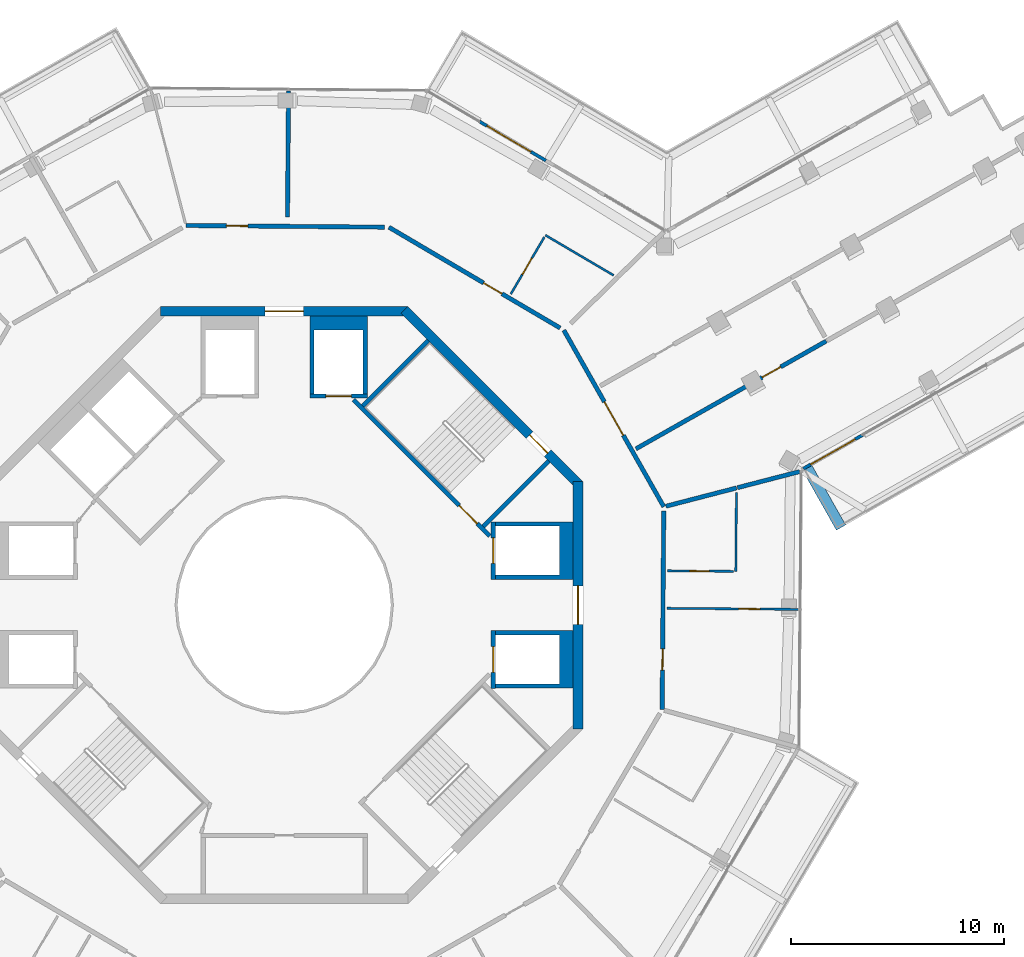
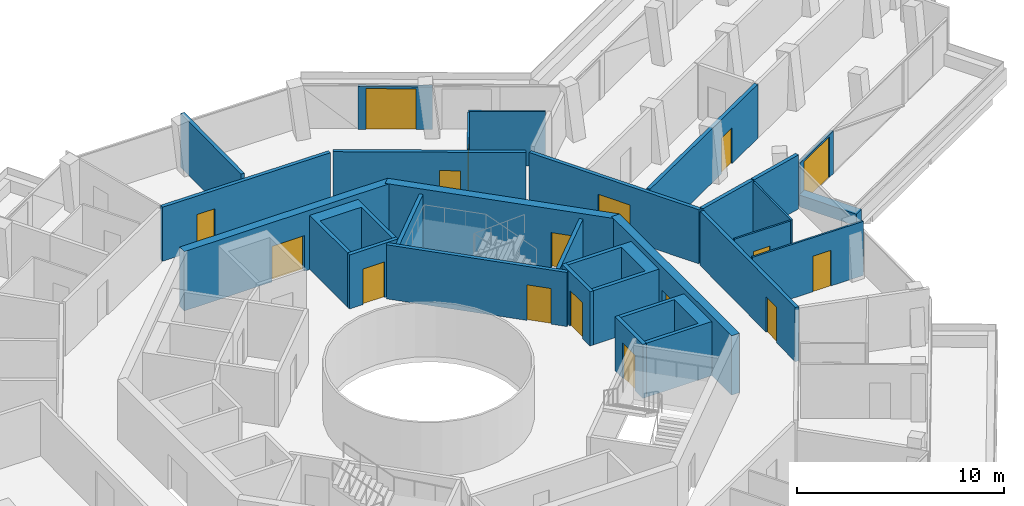
# One storey, part 20 of 24: 28 walls, 17 doors, 17 openings.
"""IFC4 building model written with IfcOpenShell, lengths in metres."""

import ifcopenshell
import ifcopenshell.guid

model = None  # the IFC model being written
_history = None  # IfcOwnerHistory: only IFC2X3 demands one
_inside = {}  # id of a spatial element -> (the spatial element, [elements in it])
_under = {}  # id of a project, library or spatial element -> (it, [spatial elements below it])
_declared = {}  # id of a project -> (the project, [libraries it declares])
_typed = {}  # id of a type object -> (the type object, [elements of that type])
_made_of = {}  # id of a material, layer set ... -> (it, [elements and type objects made of it])


def new_model(schema):
    """Start an empty IFC model of exactly this schema.

    Asked for "IFC4X3", IfcOpenShell would pick the latest addendum, in which some entities
    have other attributes; the version numbers below select the first issue.
    IFC2X3 requires an IfcOwnerHistory on every rooted entity: one is made here for all.
    """
    global model, _history
    if schema == "IFC4X3":
        model = ifcopenshell.file(schema_version=(4, 3, 0, 0))
    else:
        model = ifcopenshell.file(schema=schema)
    _inside.clear()
    _under.clear()
    _declared.clear()
    _typed.clear()
    _made_of.clear()
    _history = None
    if model.schema == "IFC2X3":
        org = make("IfcOrganization", Name="unknown")
        user = make(
            "IfcPersonAndOrganization",
            ThePerson=make("IfcPerson", FamilyName="unknown"),
            TheOrganization=org,
        )
        app = make(
            "IfcApplication",
            ApplicationDeveloper=org,
            Version="unknown",
            ApplicationFullName="unknown",
            ApplicationIdentifier="unknown",
        )
        _history = make(
            "IfcOwnerHistory",
            OwningUser=user,
            OwningApplication=app,
            ChangeAction="ADDED",
            CreationDate=0,
        )
    return model


def make(cls, **values):
    """One entity of the class cls with the attributes given. An attribute that is None is left unset."""
    return model.create_entity(
        cls, **{name: value for name, value in values.items() if value is not None}
    )


def rooted(cls, **values):
    """An entity with a GlobalId (a new one), such as an element, a storey or a relation."""
    return make(cls, GlobalId=ifcopenshell.guid.new(), OwnerHistory=_history, **values)


def si_unit(unit_type, name, prefix=None):
    """IfcSIUnit, for example si_unit("LENGTHUNIT", "METRE", prefix="MILLI")."""
    return make("IfcSIUnit", UnitType=unit_type, Prefix=prefix, Name=name)


def assignment(units):
    """IfcUnitAssignment: the units of a project."""
    return None if units is None else make("IfcUnitAssignment", Units=units)


def point(xyz):
    """IfcCartesianPoint."""
    return None if xyz is None else make("IfcCartesianPoint", Coordinates=xyz)


def direction(xyz):
    """IfcDirection."""
    return None if xyz is None else make("IfcDirection", DirectionRatios=xyz)


def frame(location, z_axis=None, x_axis=None):
    """IfcAxis2Placement3D, a coordinate frame: its origin and axes. An axis left out is left unset."""
    return make(
        "IfcAxis2Placement3D",
        Location=point(location),
        Axis=direction(z_axis),
        RefDirection=direction(x_axis),
    )


def frame_2d(location, x_axis=None):
    """IfcAxis2Placement2D, a coordinate frame in the plane: its origin and x axis."""
    return make(
        "IfcAxis2Placement2D", Location=point(location), RefDirection=direction(x_axis)
    )


def origin():
    """The frame at (0, 0, 0) with its axes left unset."""
    return frame((0.0, 0.0, 0.0))


def place(relative_to, where):
    """IfcLocalPlacement: puts the frame where relative to a parent placement (None: the world)."""
    return make(
        "IfcLocalPlacement", PlacementRelTo=relative_to, RelativePlacement=where
    )


def context(
    kind, dimensions, precision=None, world=None, true_north=None, identifier=None
):
    """IfcGeometricRepresentationContext, for example the 3D "Model" context."""
    return make(
        "IfcGeometricRepresentationContext",
        ContextIdentifier=identifier,
        ContextType=kind,
        CoordinateSpaceDimension=dimensions,
        Precision=precision,
        WorldCoordinateSystem=world,
        TrueNorth=true_north,
    )


def subcontext(parent, identifier, kind, view, scale=None):
    """IfcGeometricRepresentationSubContext, for example "Body" below "Model"."""
    return make(
        "IfcGeometricRepresentationSubContext",
        ContextIdentifier=identifier,
        ContextType=kind,
        ParentContext=parent,
        TargetScale=scale,
        TargetView=view,
    )


def project(units=None, contexts=None):
    """IfcProject with its units and contexts."""
    return rooted(
        "IfcProject",
        Name="project",
        RepresentationContexts=contexts,
        UnitsInContext=assignment(units),
    )


def spatial(cls, under=None, at=None, **own):
    """A site, building, storey or space (cls), placed at a placement, below another one or the project."""
    s = rooted(cls, ObjectPlacement=at, **own)
    if under is not None:
        _under.setdefault(under.id(), (under, []))[1].append(s)
    return s


def polyline(points):
    """IfcPolyline through the points."""
    return make("IfcPolyline", Points=[point(p) for p in points])


def profile(cls, at=None, kind="AREA", **sizes):
    """A parametric profile (cls). Its sizes go by their IFC names, for example OverallWidth=200.0."""
    return make(cls, ProfileType=kind, Position=at, **sizes)


def rectangle(**sizes):
    """IfcRectangleProfileDef."""
    return profile("IfcRectangleProfileDef", **sizes)


def outline(outer, holes=None, kind="AREA"):
    """IfcArbitraryClosedProfileDef: a profile drawn as a closed curve; with holes, ...WithVoids."""
    if holes is None:
        return make("IfcArbitraryClosedProfileDef", ProfileType=kind, OuterCurve=outer)
    return make(
        "IfcArbitraryProfileDefWithVoids",
        ProfileType=kind,
        OuterCurve=outer,
        InnerCurves=holes,
    )


def extrude(swept, where, along, depth):
    """IfcExtrudedAreaSolid: the profile swept, set in the frame where, extruded along a direction by depth."""
    return make(
        "IfcExtrudedAreaSolid",
        SweptArea=swept,
        Position=where,
        ExtrudedDirection=direction(along),
        Depth=depth,
    )


def shape(context_of_items, identifier, shape_type, items):
    """IfcShapeRepresentation: the items that make up one representation, for example the "Body"."""
    return make(
        "IfcShapeRepresentation",
        ContextOfItems=context_of_items,
        RepresentationIdentifier=identifier,
        RepresentationType=shape_type,
        Items=items,
    )


def material(Name=None, Category=None):
    """IfcMaterial."""
    return make("IfcMaterial", Name=Name, Category=Category)


def layer(
    of_material, thickness, ventilated=None, Name=None, Category=None, Priority=None
):
    """IfcMaterialLayer: one layer of a wall or slab, of a material (None: an air gap)."""
    return make(
        "IfcMaterialLayer",
        Material=of_material,
        LayerThickness=thickness,
        IsVentilated=ventilated,
        Name=Name,
        Category=Category,
        Priority=Priority,
    )


def layer_set(layers, Name=None):
    """IfcMaterialLayerSet."""
    return make("IfcMaterialLayerSet", MaterialLayers=layers, LayerSetName=Name)


def made_of(thing, what):
    """Note that an element or type object is made of a material, layer set ...; save() writes the relation."""
    if what is not None:
        _made_of.setdefault(what.id(), (what, []))[1].append(thing)
    return thing


def type_object(cls, material=None, **own):
    """A type object (cls), such as IfcWallType, which elements share."""
    return made_of(rooted(cls, **own), material)


def element(
    cls,
    number,
    at=None,
    inside=None,
    cuts=None,
    type_object=None,
    material=None,
    context=None,
    identifier="Body",
    shape_type=None,
    held_by="IfcProductDefinitionShape",
    body=None,
    shapes=None,
    **own,
):
    """One element of the class cls, such as IfcWall. Its Tag is "e" and its number.

    at: its placement. inside: the storey or other place that contains it. cuts: it is an
    opening in that element (IfcRelVoidsElement). A single representation is given by context,
    identifier, shape_type and body (its items); several are given by shapes. held_by: the class
    of the entity that holds the representations. save() writes the other relations.
    """
    e = rooted(cls, Tag="e%d" % number, ObjectPlacement=at, **own)
    if body is not None:
        shapes = [shape(context, identifier, shape_type, body)]
    if shapes is not None:
        e.Representation = make(held_by, Representations=shapes)
    if inside is not None:
        _inside.setdefault(inside.id(), (inside, []))[1].append(e)
    if cuts is not None:
        rooted(
            "IfcRelVoidsElement", RelatingBuildingElement=cuts, RelatedOpeningElement=e
        )
    if type_object is not None:
        _typed.setdefault(type_object.id(), (type_object, []))[1].append(e)
    return made_of(e, material)


def fill(opening, filler):
    """IfcRelFillsElement: the door or window that sits in an opening."""
    return rooted(
        "IfcRelFillsElement",
        RelatingOpeningElement=opening,
        RelatedBuildingElement=filler,
    )


def aggregate(whole, parts):
    """IfcRelAggregates: a whole, such as a stair, and the parts it consists of."""
    return rooted("IfcRelAggregates", RelatingObject=whole, RelatedObjects=parts)


def save(model, path):
    """Write the relations noted so far, then the file.

    IfcRelAggregates (storeys below a building ...), IfcRelContainedInSpatialStructure (elements
    in a storey), IfcRelDefinesByType, IfcRelAssociatesMaterial and IfcRelDeclares: one each for
    every whole, place, type object, material and project.
    """
    for whole, parts in _under.values():
        aggregate(whole, parts)
    for where, things in _inside.values():
        rooted(
            "IfcRelContainedInSpatialStructure",
            RelatedElements=things,
            RelatingStructure=where,
        )
    for kind, things in _typed.values():
        rooted("IfcRelDefinesByType", RelatedObjects=things, RelatingType=kind)
    for what, things in _made_of.values():
        rooted("IfcRelAssociatesMaterial", RelatedObjects=things, RelatingMaterial=what)
    for by, libraries in _declared.values():
        rooted("IfcRelDeclares", RelatingContext=by, RelatedDefinitions=libraries)
    model.write(path)


model = new_model("IFC4")

# Units and contexts
model_context = context("Model", 3, precision=1e-05, world=origin(), true_north=direction((0.0, 1.0)))
body_context = subcontext(model_context, "Body", "Model", "MODEL_VIEW")
ifc_project = project(units=[si_unit("LENGTHUNIT", "METRE"), si_unit("AREAUNIT", "SQUARE_METRE"), si_unit("VOLUMEUNIT", "CUBIC_METRE"), si_unit("PLANEANGLEUNIT", "RADIAN"), si_unit("MASSUNIT", "GRAM", prefix="KILO")], contexts=[model_context])

# Site, building, storey
site_placement = place(None, origin())
site = spatial("IfcSite", under=ifc_project, at=site_placement, CompositionType="ELEMENT")
building_placement = place(site_placement, origin())
building = spatial("IfcBuilding", under=site, at=building_placement, Name="Verdalira Terraces Hotel", CompositionType="ELEMENT")
storey_placement = place(building_placement, frame((0.0, 0.0, 277.5)))
storey = spatial("IfcBuildingStorey", under=building, at=storey_placement, Name="L68", CompositionType="ELEMENT", Elevation=277.5)

# Wall
ifc_material_1 = material(Name="Concrete C40", Category="concrete")
ifc_layer_1 = layer(ifc_material_1, 0.5)
ifc_layer_set_1 = layer_set([ifc_layer_1], Name="Balcony planter trough with tree")
wall_type_1 = type_object("IfcWallType", Name="Balcony planter trough with tree", PredefinedType="SOLIDWALL", material=ifc_layer_set_1)
wall_1_placement = place(storey_placement, frame((24.530029, 6.418945, 0.0), z_axis=(0.0, 0.0, 1.0), x_axis=(0.492715997, -0.870190179, 0.0)))
element("IfcWall", 1, at=wall_1_placement, inside=storey, type_object=wall_type_1, Name="Balcony planter", PredefinedType="SOLIDWALL", context=body_context, shape_type="SweptSolid", body=[
    extrude(rectangle(XDim=3.198975, YDim=0.5, at=frame_2d((1.599609, 0.0))), origin(), (0.0, 0.0, 1.0), 0.699951),
])

# Wall, opening, door
ifc_material_2 = material(Name="Moisture-resistant gypsum board partition")
ifc_layer_2 = layer(ifc_material_2, 0.10009765625)
ifc_layer_set_2 = layer_set([ifc_layer_2], Name="Bathroom partition 100 mm")
wall_type_2 = type_object("IfcWallType", Name="Bathroom partition 100 mm", PredefinedType="PARTITIONING", material=ifc_layer_set_2)
wall_2_placement = place(storey_placement, frame((12.197021, 17.256348, 0.0), z_axis=(0.0, 0.0, 1.0), x_axis=(-0.5072507, -0.861798542, 0.0)))
wall_2 = element("IfcWall", 2, at=wall_2_placement, inside=storey, type_object=wall_type_2, Name="Bathroom partition", PredefinedType="PARTITIONING", context=body_context, shape_type="SweptSolid", body=[
    extrude(rectangle(XDim=3.100098, YDim=0.100098, at=frame_2d((1.550049, 0.0))), origin(), (0.0, 0.0, 1.0), 3.189941),
])
opening_1_placement = place(wall_2_placement, frame((1.149902, 0.0, 0.0)))
opening_1 = element("IfcOpeningElement", 3, at=opening_1_placement, cuts=wall_2, Name="Opening L68-129", PredefinedType="OPENING", context=body_context, shape_type="SweptSolid", body=[
    extrude(rectangle(XDim=0.899902, YDim=2.100098, at=frame_2d((0.449951, 1.050049))), frame((0.0, 0.060059, 0.0), z_axis=(0.0, -1.0, 0.0), x_axis=(1.0, 0.0, 0.0)), (0.0, 0.0, 1.0), 0.120117),
])
ifc_material_3 = material(Name="Timber door", Category="wood")
door_type_1 = type_object("IfcDoorType", Name="Bathroom door 900 x 2100", OperationType="NOTDEFINED", PredefinedType="DOOR", material=ifc_material_3)
door_1_placement = place(opening_1_placement, origin())
door_1 = element("IfcDoor", 4, at=door_1_placement, inside=storey, type_object=door_type_1, Name="Bathroom door 6809", OperationType="SINGLE_SWING_LEFT", OverallHeight=2.10009765625, OverallWidth=0.89990234375, PredefinedType="DOOR", context=body_context, shape_type="SweptSolid", body=[
    extrude(rectangle(XDim=0.899902, YDim=2.100098, at=frame_2d((0.449951, 1.050049))), frame((0.0, 0.024902, 0.0), z_axis=(0.0, -1.0, 0.0), x_axis=(1.0, 0.0, 0.0)), (0.0, 0.0, 1.0), 0.050049),
])
fill(opening_1, door_1)

# Wall
wall_3_placement = place(storey_placement, frame((12.247559, 17.342529, 0.0), z_axis=(0.0, 0.0, 1.0), x_axis=(0.861795243, -0.507256305, 0.0)))
element("IfcWall", 5, at=wall_3_placement, inside=storey, type_object=wall_type_2, Name="Bathroom partition", PredefinedType="PARTITIONING", context=body_context, shape_type="SweptSolid", body=[
    extrude(rectangle(XDim=3.704102, YDim=0.100098, at=frame_2d((1.852051, 0.0))), origin(), (0.0, 0.0, 1.0), 3.189941),
])

# Wall, opening, door
wall_4_placement = place(storey_placement, frame((17.972412, 1.60791, 0.0), z_axis=(0.0, 0.0, 1.0), x_axis=(0.999964493, -0.008426888, 0.0)))
wall_4 = element("IfcWall", 6, at=wall_4_placement, inside=storey, type_object=wall_type_2, Name="Bathroom partition", PredefinedType="PARTITIONING", context=body_context, shape_type="SweptSolid", body=[
    extrude(rectangle(XDim=3.099854, YDim=0.100098, at=frame_2d((1.549805, 0.0))), origin(), (0.0, 0.0, 1.0), 3.189941),
])
opening_2_placement = place(wall_4_placement, frame((1.050049, 0.0, 0.0)))
opening_2 = element("IfcOpeningElement", 7, at=opening_2_placement, cuts=wall_4, Name="Opening L68-123", PredefinedType="OPENING", context=body_context, shape_type="SweptSolid", body=[
    extrude(rectangle(XDim=0.899902, YDim=2.100098, at=frame_2d((0.449951, 1.050049))), frame((0.0, 0.060059, 0.0), z_axis=(0.0, -1.0, 0.0), x_axis=(1.0, 0.0, 0.0)), (0.0, 0.0, 1.0), 0.120117),
])
door_2_placement = place(opening_2_placement, origin())
door_2 = element("IfcDoor", 8, at=door_2_placement, inside=storey, type_object=door_type_1, Name="Bathroom door 6807", OperationType="SINGLE_SWING_RIGHT", OverallHeight=2.10009765625, OverallWidth=0.89990234375, PredefinedType="DOOR", context=body_context, shape_type="SweptSolid", body=[
    extrude(rectangle(XDim=0.899902, YDim=2.100098, at=frame_2d((0.449951, 1.050049))), frame((0.0, 0.024902, 0.0), z_axis=(0.0, -1.0, 0.0), x_axis=(1.0, 0.0, 0.0)), (0.0, 0.0, 1.0), 0.050049),
])
fill(opening_2, door_2)

wall_5_placement = place(storey_placement, frame((17.957764, -0.150391, 0.0), z_axis=(0.0, 0.0, 1.0), x_axis=(0.999964918, -0.008376378, 0.0)))
wall_5 = element("IfcWall", 9, at=wall_5_placement, inside=storey, type_object=wall_type_2, Name="Bathroom partition", PredefinedType="PARTITIONING", context=body_context, shape_type="SweptSolid", body=[
    extrude(rectangle(XDim=6.149902, YDim=0.100098, at=frame_2d((3.074951, 0.0))), origin(), (0.0, 0.0, 1.0), 3.189941),
])
opening_3_placement = place(wall_5_placement, frame((3.350098, 0.0, 0.0)))
opening_3 = element("IfcOpeningElement", 10, at=opening_3_placement, cuts=wall_5, Name="Opening L68-122", PredefinedType="OPENING", context=body_context, shape_type="SweptSolid", body=[
    extrude(rectangle(XDim=1.0, YDim=2.100098, at=frame_2d((0.5, 1.050049))), frame((0.0, 0.060059, 0.0), z_axis=(0.0, -1.0, 0.0), x_axis=(1.0, 0.0, 0.0)), (0.0, 0.0, 1.0), 0.120117),
])
ifc_material_4 = material(Name="Timber door", Category="wood")
door_type_2 = type_object("IfcDoorType", Name="Suite internal door 1000 x 2100", OperationType="NOTDEFINED", PredefinedType="DOOR", material=ifc_material_4)
door_3_placement = place(opening_3_placement, origin())
door_3 = element("IfcDoor", 11, at=door_3_placement, inside=storey, type_object=door_type_2, Name="Suite internal door 6807", OperationType="SINGLE_SWING_LEFT", OverallHeight=2.10009765625, OverallWidth=1.0, PredefinedType="DOOR", context=body_context, shape_type="SweptSolid", body=[
    extrude(rectangle(XDim=1.0, YDim=2.100098, at=frame_2d((0.5, 1.050049))), frame((0.0, 0.024902, 0.0), z_axis=(0.0, -1.0, 0.0), x_axis=(1.0, 0.0, 0.0)), (0.0, 0.0, 1.0), 0.050049),
])
fill(opening_3, door_3)

# Walls
wall_6_placement = place(storey_placement, frame((21.172363, 1.581055, 0.0), z_axis=(0.0, 0.0, 1.0), x_axis=(0.008370941, 0.999964963, 0.0)))
element("IfcWall", 12, at=wall_6_placement, inside=storey, type_object=wall_type_2, Name="Bathroom partition", PredefinedType="PARTITIONING", context=body_context, shape_type="SweptSolid", body=[
    extrude(rectangle(XDim=3.704102, YDim=0.100098, at=frame_2d((1.852051, 0.0))), origin(), (0.0, 0.0, 1.0), 3.189941),
])
ifc_material_5 = material(Name="Concrete C50", Category="concrete")
ifc_layer_3 = layer(ifc_material_5, 0.199951171875)
ifc_layer_set_3 = layer_set([ifc_layer_3], Name="Core RC wall 200 C50")
wall_type_3 = type_object("IfcWallType", Name="Core RC wall 200 C50", PredefinedType="SOLIDWALL", material=ifc_layer_set_3)
wall_7_placement = place(storey_placement, origin())
element("IfcWall", 13, at=wall_7_placement, inside=storey, type_object=wall_type_3, Name="L68 shaft wall E1", PredefinedType="SOLIDWALL", context=body_context, shape_type="SweptSolid", body=[
    extrude(outline(polyline([(13.550049, -3.899902), (9.899902, -3.899902), (9.899902, -3.699951), (12.899902, -3.699951), (12.899902, -1.399902), (9.899902, -1.399902), (9.899902, -1.199951), (13.550049, -1.199951), (13.550049, -3.899902)])), origin(), (0.0, 0.0, 1.0), 3.189941),
])

# Wall, opening, door
wall_8_placement = place(storey_placement, frame((9.800049, -1.199951, 0.0), z_axis=(0.0, 0.0, 1.0), x_axis=(0.0, -1.0, 0.0)))
wall_8 = element("IfcWall", 14, at=wall_8_placement, inside=storey, type_object=wall_type_3, Name="L68 shaft front wall E1", PredefinedType="SOLIDWALL", context=body_context, shape_type="SweptSolid", body=[
    extrude(rectangle(XDim=2.699951, YDim=0.199951, at=frame_2d((1.350098, 0.0))), origin(), (0.0, 0.0, 1.0), 3.189941),
])
opening_4_placement = place(wall_8_placement, frame((0.75, 0.0, 0.0)))
opening_4 = element("IfcOpeningElement", 15, at=opening_4_placement, cuts=wall_8, Name="Opening LD-L68-802", PredefinedType="OPENING", context=body_context, shape_type="SweptSolid", body=[
    extrude(rectangle(XDim=1.199951, YDim=2.100098, at=frame_2d((0.600098, 1.050049))), frame((0.0, 0.109863, 0.0), z_axis=(0.0, -1.0, 0.0), x_axis=(1.0, 0.0, 0.0)), (0.0, 0.0, 1.0), 0.219971),
])
ifc_material_6 = material(Name="Stainless steel", Category="steel")
door_type_3 = type_object("IfcDoorType", Name="Landing door 1200 x 2100", OperationType="NOTDEFINED", PredefinedType="DOOR", material=ifc_material_6)
door_4_placement = place(opening_4_placement, origin())
door_4 = element("IfcDoor", 16, at=door_4_placement, inside=storey, type_object=door_type_3, Name="Lift landing door HR1 L68", OperationType="DOUBLE_DOOR_SLIDING", OverallHeight=2.10009765625, OverallWidth=1.199951171875, PredefinedType="DOOR", context=body_context, shape_type="SweptSolid", body=[
    extrude(rectangle(XDim=1.199951, YDim=2.100098, at=frame_2d((0.600098, 1.050049))), frame((0.0, 0.024902, 0.0), z_axis=(0.0, -1.0, 0.0), x_axis=(1.0, 0.0, 0.0)), (0.0, 0.0, 1.0), 0.050049),
])
fill(opening_4, door_4)

# Wall
wall_9_placement = place(storey_placement, origin())
element("IfcWall", 17, at=wall_9_placement, inside=storey, type_object=wall_type_3, Name="L68 shaft wall E2", PredefinedType="SOLIDWALL", context=body_context, shape_type="SweptSolid", body=[
    extrude(outline(polyline([(13.550049, 3.899902), (13.550049, 1.199951), (9.899902, 1.199951), (9.899902, 1.399902), (12.899902, 1.399902), (12.899902, 3.699951), (9.899902, 3.699951), (9.899902, 3.899902), (13.550049, 3.899902)])), origin(), (0.0, 0.0, 1.0), 3.189941),
])

# Wall, opening, door
wall_10_placement = place(storey_placement, frame((9.800049, 1.199951, 0.0), z_axis=(0.0, 0.0, 1.0), x_axis=(0.0, 1.0, 0.0)))
wall_10 = element("IfcWall", 18, at=wall_10_placement, inside=storey, type_object=wall_type_3, Name="L68 shaft front wall E2", PredefinedType="SOLIDWALL", context=body_context, shape_type="SweptSolid", body=[
    extrude(rectangle(XDim=2.699951, YDim=0.199951, at=frame_2d((1.350098, 0.0))), origin(), (0.0, 0.0, 1.0), 3.189941),
])
opening_5_placement = place(wall_10_placement, frame((0.75, 0.0, 0.0)))
opening_5 = element("IfcOpeningElement", 19, at=opening_5_placement, cuts=wall_10, Name="Opening LD-L68-803", PredefinedType="OPENING", context=body_context, shape_type="SweptSolid", body=[
    extrude(rectangle(XDim=1.199951, YDim=2.100098, at=frame_2d((0.600098, 1.050049))), frame((0.0, 0.109863, 0.0), z_axis=(0.0, -1.0, 0.0), x_axis=(1.0, 0.0, 0.0)), (0.0, 0.0, 1.0), 0.219971),
])
door_5_placement = place(opening_5_placement, origin())
door_5 = element("IfcDoor", 20, at=door_5_placement, inside=storey, type_object=door_type_3, Name="Lift landing door HR2 L68", OperationType="DOUBLE_DOOR_SLIDING", OverallHeight=2.10009765625, OverallWidth=1.199951171875, PredefinedType="DOOR", context=body_context, shape_type="SweptSolid", body=[
    extrude(rectangle(XDim=1.199951, YDim=2.100098, at=frame_2d((0.600098, 1.050049))), frame((0.0, 0.024902, 0.0), z_axis=(0.0, -1.0, 0.0), x_axis=(1.0, 0.0, 0.0)), (0.0, 0.0, 1.0), 0.050049),
])
fill(opening_5, door_5)

# Wall
wall_11_placement = place(storey_placement, origin())
element("IfcWall", 21, at=wall_11_placement, inside=storey, type_object=wall_type_3, Name="L68 shaft wall N1", PredefinedType="SOLIDWALL", context=body_context, shape_type="SweptSolid", body=[
    extrude(outline(polyline([(3.899902, 9.899902), (3.699951, 9.899902), (3.699951, 12.899902), (1.399902, 12.899902), (1.399902, 9.899902), (1.199951, 9.899902), (1.199951, 13.550049), (3.899902, 13.550049), (3.899902, 9.899902)])), origin(), (0.0, 0.0, 1.0), 3.189941),
])

# Wall, opening, door
wall_12_placement = place(storey_placement, frame((1.199951, 9.800049, 0.0), z_axis=(0.0, 0.0, 1.0), x_axis=(1.0, 0.0, 0.0)))
wall_12 = element("IfcWall", 22, at=wall_12_placement, inside=storey, type_object=wall_type_3, Name="L68 shaft front wall N1", PredefinedType="SOLIDWALL", context=body_context, shape_type="SweptSolid", body=[
    extrude(rectangle(XDim=2.699951, YDim=0.199951, at=frame_2d((1.350098, 0.0))), origin(), (0.0, 0.0, 1.0), 3.189941),
])
opening_6_placement = place(wall_12_placement, frame((0.75, 0.0, 0.0)))
opening_6 = element("IfcOpeningElement", 23, at=opening_6_placement, cuts=wall_12, Name="Opening LD-L68-804", PredefinedType="OPENING", context=body_context, shape_type="SweptSolid", body=[
    extrude(rectangle(XDim=1.199951, YDim=2.100098, at=frame_2d((0.600098, 1.050049))), frame((0.0, 0.109863, 0.0), z_axis=(0.0, -1.0, 0.0), x_axis=(1.0, 0.0, 0.0)), (0.0, 0.0, 1.0), 0.219971),
])
door_6_placement = place(opening_6_placement, origin())
door_6 = element("IfcDoor", 24, at=door_6_placement, inside=storey, type_object=door_type_3, Name="Lift landing door HR3 L68", OperationType="DOUBLE_DOOR_SLIDING", OverallHeight=2.10009765625, OverallWidth=1.199951171875, PredefinedType="DOOR", context=body_context, shape_type="SweptSolid", body=[
    extrude(rectangle(XDim=1.199951, YDim=2.100098, at=frame_2d((0.600098, 1.050049))), frame((0.0, 0.024902, 0.0), z_axis=(0.0, -1.0, 0.0), x_axis=(1.0, 0.0, 0.0)), (0.0, 0.0, 1.0), 0.050049),
])
fill(opening_6, door_6)

wall_13_placement = place(storey_placement, frame((3.23999, 9.629395, 0.0), z_axis=(0.0, 0.0, 1.0), x_axis=(0.707106781, -0.707106781, 0.0)))
wall_13 = element("IfcWall", 25, at=wall_13_placement, inside=storey, type_object=wall_type_3, Name="L68 stair ST1 front wall", PredefinedType="SOLIDWALL", context=body_context, shape_type="SweptSolid", body=[
    extrude(rectangle(XDim=9.035889, YDim=0.199951, at=frame_2d((4.518066, 0.0))), origin(), (0.0, 0.0, 1.0), 3.189941),
])
opening_7_placement = place(wall_13_placement, frame((7.017822, 0.0, 0.0)))
opening_7 = element("IfcOpeningElement", 26, at=opening_7_placement, cuts=wall_13, Name="Opening L68-810", PredefinedType="OPENING", context=body_context, shape_type="SweptSolid", body=[
    extrude(rectangle(XDim=1.199951, YDim=2.100098, at=frame_2d((0.600098, 1.050049))), frame((0.0, 0.109863, 0.0), z_axis=(0.0, -1.0, 0.0), x_axis=(1.0, 0.0, 0.0)), (0.0, 0.0, 1.0), 0.219971),
])
ifc_material_7 = material(Name="Steel fire door", Category="steel")
door_type_4 = type_object("IfcDoorType", Name="Stair door 1200 x 2100", OperationType="NOTDEFINED", PredefinedType="DOOR", material=ifc_material_7)
door_7_placement = place(opening_7_placement, origin())
door_7 = element("IfcDoor", 27, at=door_7_placement, inside=storey, type_object=door_type_4, Name="Stair door ST1 L68", OperationType="SINGLE_SWING_RIGHT", OverallHeight=2.10009765625, OverallWidth=1.199951171875, PredefinedType="DOOR", context=body_context, shape_type="SweptSolid", body=[
    extrude(rectangle(XDim=1.199951, YDim=2.100098, at=frame_2d((0.600098, 1.050049))), frame((0.0, 0.024902, 0.0), z_axis=(0.0, -1.0, 0.0), x_axis=(1.0, 0.0, 0.0)), (0.0, 0.0, 1.0), 0.050049),
])
fill(opening_7, door_7)

# Walls
for number, where, z_axis, x_axis, name in (
    (28, (9.33374, 3.677002, 0.0), (0.0, 0.0, 1.0), (0.707106781, 0.707106781, 0.0), "L68 stair ST1 end wall 1"),
    (29, (3.677002, 9.33374, 0.0), (0.0, 0.0, 1.0), (0.707106781, 0.707106781, 0.0), "L68 stair ST1 end wall 2"),
):
    element("IfcWall", number, at=place(storey_placement, frame(where, z_axis=z_axis, x_axis=x_axis)), inside=storey, type_object=wall_type_3, Name=name, PredefinedType="SOLIDWALL", context=body_context, shape_type="SweptSolid", body=[
        extrude(rectangle(XDim=4.350098, YDim=0.199951, at=frame_2d((2.175049, 0.0))), origin(), (0.0, 0.0, 1.0), 3.189941),
    ])

# Wall, opening, door
ifc_material_8 = material(Name="Concrete C50", Category="concrete")
ifc_layer_4 = layer(ifc_material_8, 0.449951171875)
ifc_layer_set_4 = layer_set([ifc_layer_4], Name="Core wall 450 C50")
wall_type_4 = type_object("IfcWallType", Name="Core wall 450 C50", PredefinedType="SHEAR", material=ifc_layer_set_4)
wall_14_placement = place(storey_placement, frame((13.774902, -5.799072, 0.0), z_axis=(0.0, 0.0, 1.0), x_axis=(0.0, 1.0, 0.0)))
wall_14 = element("IfcWall", 30, at=wall_14_placement, inside=storey, type_object=wall_type_4, Name="Core wall CW-L68-1", PredefinedType="SHEAR", context=body_context, shape_type="SweptSolid", body=[
    extrude(rectangle(XDim=11.598145, YDim=0.449951, at=frame_2d((5.799072, 0.0))), origin(), (0.0, 0.0, 1.0), 3.5),
])
opening_8_placement = place(wall_14_placement, frame((4.898926, 0.0, 0.0)))
opening_8 = element("IfcOpeningElement", 31, at=opening_8_placement, cuts=wall_14, Name="Opening L68-813", PredefinedType="OPENING", context=body_context, shape_type="SweptSolid", body=[
    extrude(rectangle(XDim=1.800049, YDim=2.100098, at=frame_2d((0.899902, 1.050049))), frame((0.0, 0.234863, 0.0), z_axis=(0.0, -1.0, 0.0), x_axis=(1.0, 0.0, 0.0)), (0.0, 0.0, 1.0), 0.469971),
])
ifc_material_9 = material(Name="Steel fire door", Category="steel")
door_type_5 = type_object("IfcDoorType", Name="Core entry door pair 1800 x 2100", OperationType="NOTDEFINED", PredefinedType="DOOR", material=ifc_material_9)
door_8_placement = place(opening_8_placement, origin())
door_8 = element("IfcDoor", 32, at=door_8_placement, inside=storey, type_object=door_type_5, Name="Core entry door L68 0", OperationType="DOUBLE_DOOR_SINGLE_SWING", OverallHeight=2.10009765625, OverallWidth=1.800048828125, PredefinedType="DOOR", context=body_context, shape_type="SweptSolid", body=[
    extrude(rectangle(XDim=1.800049, YDim=2.100098, at=frame_2d((0.899902, 1.050049))), frame((0.0, 0.024902, 0.0), z_axis=(0.0, -1.0, 0.0), x_axis=(1.0, 0.0, 0.0)), (0.0, 0.0, 1.0), 0.050049),
])
fill(opening_8, door_8)

wall_15_placement = place(storey_placement, frame((13.84082, 5.639893, 0.0), z_axis=(0.0, 0.0, 1.0), x_axis=(-0.707106781, 0.707106781, 0.0)))
wall_15 = element("IfcWall", 33, at=wall_15_placement, inside=storey, type_object=wall_type_4, Name="Core wall CW-L68-2", PredefinedType="SHEAR", context=body_context, shape_type="SweptSolid", body=[
    extrude(rectangle(XDim=11.5979, YDim=0.449951, at=frame_2d((5.798828, 0.0))), origin(), (0.0, 0.0, 1.0), 3.5),
])
opening_9_placement = place(wall_15_placement, frame((2.099121, 0.0, 0.0)))
opening_9 = element("IfcOpeningElement", 34, at=opening_9_placement, cuts=wall_15, Name="Opening L68-816", PredefinedType="OPENING", context=body_context, shape_type="SweptSolid", body=[
    extrude(rectangle(XDim=1.199951, YDim=2.100098, at=frame_2d((0.600098, 1.050049))), frame((0.0, 0.234863, 0.0), z_axis=(0.0, -1.0, 0.0), x_axis=(1.0, 0.0, 0.0)), (0.0, 0.0, 1.0), 0.469971),
])
door_9_placement = place(opening_9_placement, origin())
door_9 = element("IfcDoor", 35, at=door_9_placement, inside=storey, type_object=door_type_4, Name="Stair exit door ST1 L68", OperationType="SINGLE_SWING_LEFT", OverallHeight=2.10009765625, OverallWidth=1.199951171875, PredefinedType="DOOR", context=body_context, shape_type="SweptSolid", body=[
    extrude(rectangle(XDim=1.199951, YDim=2.100098, at=frame_2d((0.600098, 1.050049))), frame((0.0, 0.024902, 0.0), z_axis=(0.0, -1.0, 0.0), x_axis=(1.0, 0.0, 0.0)), (0.0, 0.0, 1.0), 0.050049),
])
fill(opening_9, door_9)

wall_16_placement = place(storey_placement, frame((5.799072, 13.774902, 0.0), z_axis=(0.0, 0.0, 1.0), x_axis=(-1.0, 0.0, 0.0)))
wall_16 = element("IfcWall", 36, at=wall_16_placement, inside=storey, type_object=wall_type_4, Name="Core wall CW-L68-3", PredefinedType="SHEAR", context=body_context, shape_type="SweptSolid", body=[
    extrude(rectangle(XDim=11.598145, YDim=0.449951, at=frame_2d((5.799072, 0.0))), origin(), (0.0, 0.0, 1.0), 3.5),
])
opening_10_placement = place(wall_16_placement, frame((4.898926, 0.0, 0.0)))
opening_10 = element("IfcOpeningElement", 37, at=opening_10_placement, cuts=wall_16, Name="Opening L68-814", PredefinedType="OPENING", context=body_context, shape_type="SweptSolid", body=[
    extrude(rectangle(XDim=1.800049, YDim=2.100098, at=frame_2d((0.899902, 1.050049))), frame((0.0, 0.234863, 0.0), z_axis=(0.0, -1.0, 0.0), x_axis=(1.0, 0.0, 0.0)), (0.0, 0.0, 1.0), 0.469971),
])
door_10_placement = place(opening_10_placement, origin())
door_10 = element("IfcDoor", 38, at=door_10_placement, inside=storey, type_object=door_type_5, Name="Core entry door L68 2", OperationType="DOUBLE_DOOR_SINGLE_SWING", OverallHeight=2.10009765625, OverallWidth=1.800048828125, PredefinedType="DOOR", context=body_context, shape_type="SweptSolid", body=[
    extrude(rectangle(XDim=1.800049, YDim=2.100098, at=frame_2d((0.899902, 1.050049))), frame((0.0, 0.024902, 0.0), z_axis=(0.0, -1.0, 0.0), x_axis=(1.0, 0.0, 0.0)), (0.0, 0.0, 1.0), 0.050049),
])
fill(opening_10, door_10)

# Walls
ifc_material_10 = material(Name="Fire-rated gypsum board wall")
ifc_layer_5 = layer(ifc_material_10, 0.199951171875)
ifc_layer_set_5 = layer_set([ifc_layer_5], Name="Demising wall 200 mm")
wall_type_5 = type_object("IfcWallType", Name="Demising wall 200 mm", PredefinedType="SOLIDWALL", material=ifc_layer_set_5)
wall_17_placement = place(storey_placement, frame((0.152588, 18.205078, 0.0), z_axis=(0.0, 0.0, 1.0), x_axis=(0.008355102, 0.999965096, 0.0)))
element("IfcWall", 39, at=wall_17_placement, inside=storey, type_object=wall_type_5, Name="Demising wall", PredefinedType="SOLIDWALL", context=body_context, shape_type="SweptSolid", body=[
    extrude(rectangle(XDim=5.902588, YDim=0.199951, at=frame_2d((2.951172, 0.0))), origin(), (0.0, 0.0, 1.0), 3.189941),
])
wall_18_placement = place(storey_placement, frame((21.207031, 5.492432, 0.0), z_axis=(0.0, 0.0, 1.0), x_axis=(-0.968053419, -0.250744047, 0.0)))
element("IfcWall", 40, at=wall_18_placement, inside=storey, type_object=wall_type_5, Name="Demising wall", PredefinedType="SOLIDWALL", context=body_context, shape_type="SweptSolid", body=[
    extrude(rectangle(XDim=3.418457, YDim=0.199951, at=frame_2d((1.709229, 0.0))), origin(), (0.0, 0.0, 1.0), 3.189941),
])

# Wall, opening, door
wall_19_placement = place(storey_placement, frame((25.410645, 12.376953, 0.0), z_axis=(0.0, 0.0, 1.0), x_axis=(-0.870181146, -0.492731948, 0.0)))
wall_19 = element("IfcWall", 41, at=wall_19_placement, inside=storey, type_object=wall_type_5, Name="Demising wall", PredefinedType="SOLIDWALL", context=body_context, shape_type="SweptSolid", body=[
    extrude(rectangle(XDim=10.251953, YDim=0.199951, at=frame_2d((5.125977, 0.0))), origin(), (0.0, 0.0, 1.0), 3.189941),
])
opening_11_placement = place(wall_19_placement, frame((2.449951, 0.0, 0.0)))
opening_11 = element("IfcOpeningElement", 42, at=opening_11_placement, cuts=wall_19, Name="Opening L68-125", PredefinedType="OPENING", context=body_context, shape_type="SweptSolid", body=[
    extrude(rectangle(XDim=1.0, YDim=2.100098, at=frame_2d((0.5, 1.050049))), frame((0.0, 0.109863, 0.0), z_axis=(0.0, -1.0, 0.0), x_axis=(1.0, 0.0, 0.0)), (0.0, 0.0, 1.0), 0.219971),
])
ifc_material_11 = material(Name="Timber fire door", Category="wood")
door_type_6 = type_object("IfcDoorType", Name="Public room door 1000 x 2100", OperationType="NOTDEFINED", PredefinedType="DOOR", material=ifc_material_11)
door_11_placement = place(opening_11_placement, origin())
door_11 = element("IfcDoor", 43, at=door_11_placement, inside=storey, type_object=door_type_6, Name="Public room door 6808", OperationType="SINGLE_SWING_LEFT", OverallHeight=2.10009765625, OverallWidth=1.0, PredefinedType="DOOR", context=body_context, shape_type="SweptSolid", body=[
    extrude(rectangle(XDim=1.0, YDim=2.100098, at=frame_2d((0.5, 1.050049))), frame((0.0, 0.024902, 0.0), z_axis=(0.0, -1.0, 0.0), x_axis=(1.0, 0.0, 0.0)), (0.0, 0.0, 1.0), 0.050049),
])
fill(opening_11, door_11)

# Wall
wall_20_placement = place(storey_placement, frame((24.166748, 6.258789, 0.0), z_axis=(0.0, 0.0, 1.0), x_axis=(-0.968071986, -0.250672354, 0.0)))
element("IfcWall", 44, at=wall_20_placement, inside=storey, type_object=wall_type_5, Name="Demising wall", PredefinedType="SOLIDWALL", context=body_context, shape_type="SweptSolid", body=[
    extrude(rectangle(XDim=3.011475, YDim=0.199951, at=frame_2d((1.505859, 0.0))), origin(), (0.0, 0.0, 1.0), 3.189941),
])

# Wall, opening, door
ifc_material_12 = material(Name="Fire-rated gypsum board wall")
ifc_layer_6 = layer(ifc_material_12, 0.199951171875)
ifc_layer_set_6 = layer_set([ifc_layer_6], Name="Guest corridor wall 200 mm")
wall_type_6 = type_object("IfcWallType", Name="Guest corridor wall 200 mm", PredefinedType="SOLIDWALL", material=ifc_layer_set_6)
wall_21_placement = place(storey_placement, frame((-4.609375, 17.797607, 0.0), z_axis=(0.0, 0.0, 1.0), x_axis=(0.999964836, -0.008386109, 0.0)))
wall_21 = element("IfcWall", 45, at=wall_21_placement, inside=storey, type_object=wall_type_6, Name="Guest corridor wall", PredefinedType="SOLIDWALL", context=body_context, shape_type="SweptSolid", body=[
    extrude(rectangle(XDim=9.315918, YDim=0.199951, at=frame_2d((4.657959, 0.0))), origin(), (0.0, 0.0, 1.0), 3.189941),
])
opening_12_placement = place(wall_21_placement, frame((1.899902, 0.0, 0.0)))
opening_12 = element("IfcOpeningElement", 46, at=opening_12_placement, cuts=wall_21, Name="Opening L68-130", PredefinedType="OPENING", context=body_context, shape_type="SweptSolid", body=[
    extrude(rectangle(XDim=1.0, YDim=2.100098, at=frame_2d((0.5, 1.050049))), frame((0.0, 0.109863, 0.0), z_axis=(0.0, -1.0, 0.0), x_axis=(1.0, 0.0, 0.0)), (0.0, 0.0, 1.0), 0.219971),
])
ifc_material_13 = material(Name="Timber fire door", Category="wood")
door_type_7 = type_object("IfcDoorType", Name="Guest entry door 1000 x 2100", OperationType="NOTDEFINED", PredefinedType="DOOR", material=ifc_material_13)
door_12_placement = place(opening_12_placement, origin())
door_12 = element("IfcDoor", 47, at=door_12_placement, inside=storey, type_object=door_type_7, Name="Guest entry door 6810", OperationType="SINGLE_SWING_LEFT", OverallHeight=2.10009765625, OverallWidth=1.0, PredefinedType="DOOR", context=body_context, shape_type="SweptSolid", body=[
    extrude(rectangle(XDim=1.0, YDim=2.100098, at=frame_2d((0.5, 1.050049))), frame((0.0, 0.024902, 0.0), z_axis=(0.0, -1.0, 0.0), x_axis=(1.0, 0.0, 0.0)), (0.0, 0.0, 1.0), 0.050049),
])
fill(opening_12, door_12)

wall_22_placement = place(storey_placement, frame((4.907471, 17.717529, 0.0), z_axis=(0.0, 0.0, 1.0), x_axis=(0.861809555, -0.507231989, 0.0)))
wall_22 = element("IfcWall", 48, at=wall_22_placement, inside=storey, type_object=wall_type_6, Name="Guest corridor wall", PredefinedType="SOLIDWALL", context=body_context, shape_type="SweptSolid", body=[
    extrude(rectangle(XDim=9.315918, YDim=0.199951, at=frame_2d((4.657959, 0.0))), origin(), (0.0, 0.0, 1.0), 3.189941),
])
opening_13_placement = place(wall_22_placement, frame((5.149902, 0.0, 0.0)))
opening_13 = element("IfcOpeningElement", 49, at=opening_13_placement, cuts=wall_22, Name="Opening L68-128", PredefinedType="OPENING", context=body_context, shape_type="SweptSolid", body=[
    extrude(rectangle(XDim=1.0, YDim=2.100098, at=frame_2d((0.5, 1.050049))), frame((0.0, 0.109863, 0.0), z_axis=(0.0, -1.0, 0.0), x_axis=(1.0, 0.0, 0.0)), (0.0, 0.0, 1.0), 0.219971),
])
door_13_placement = place(opening_13_placement, origin())
door_13 = element("IfcDoor", 50, at=door_13_placement, inside=storey, type_object=door_type_7, Name="Guest entry door 6809", OperationType="SINGLE_SWING_LEFT", OverallHeight=2.10009765625, OverallWidth=1.0, PredefinedType="DOOR", context=body_context, shape_type="SweptSolid", body=[
    extrude(rectangle(XDim=1.0, YDim=2.100098, at=frame_2d((0.5, 1.050049))), frame((0.0, 0.024902, 0.0), z_axis=(0.0, -1.0, 0.0), x_axis=(1.0, 0.0, 0.0)), (0.0, 0.0, 1.0), 0.050049),
])
fill(opening_13, door_13)

wall_23_placement = place(storey_placement, frame((13.108398, 12.890625, 0.0), z_axis=(0.0, 0.0, 1.0), x_axis=(0.492734216, -0.870179862, 0.0)))
wall_23 = element("IfcWall", 51, at=wall_23_placement, inside=storey, type_object=wall_type_6, Name="Guest corridor wall", PredefinedType="SOLIDWALL", context=body_context, shape_type="SweptSolid", body=[
    extrude(rectangle(XDim=9.516602, YDim=0.199951, at=frame_2d((4.758301, 0.0))), origin(), (0.0, 0.0, 1.0), 3.189941),
])
opening_14_placement = place(wall_23_placement, frame((3.867188, 0.0, 0.0)))
opening_14 = element("IfcOpeningElement", 52, at=opening_14_placement, cuts=wall_23, Name="Opening L68-124", PredefinedType="OPENING", context=body_context, shape_type="SweptSolid", body=[
    extrude(rectangle(XDim=1.800049, YDim=2.100098, at=frame_2d((0.899902, 1.050049))), frame((0.0, 0.109863, 0.0), z_axis=(0.0, -1.0, 0.0), x_axis=(1.0, 0.0, 0.0)), (0.0, 0.0, 1.0), 0.219971),
])
ifc_material_14 = material(Name="Timber fire door", Category="wood")
door_type_8 = type_object("IfcDoorType", Name="Public room double door 1800 x 2100", OperationType="NOTDEFINED", PredefinedType="DOOR", material=ifc_material_14)
door_14_placement = place(opening_14_placement, origin())
door_14 = element("IfcDoor", 53, at=door_14_placement, inside=storey, type_object=door_type_8, Name="Public room double door 6808", OperationType="DOUBLE_DOOR_SINGLE_SWING", OverallHeight=2.10009765625, OverallWidth=1.800048828125, PredefinedType="DOOR", context=body_context, shape_type="SweptSolid", body=[
    extrude(rectangle(XDim=1.800049, YDim=2.100098, at=frame_2d((0.899902, 1.050049))), frame((0.0, 0.024902, 0.0), z_axis=(0.0, -1.0, 0.0), x_axis=(1.0, 0.0, 0.0)), (0.0, 0.0, 1.0), 0.050049),
])
fill(opening_14, door_14)

wall_24_placement = place(storey_placement, frame((17.795898, 4.409424, 0.0), z_axis=(0.0, 0.0, 1.0), x_axis=(-0.008385449, -0.999964842, 0.0)))
wall_24 = element("IfcWall", 54, at=wall_24_placement, inside=storey, type_object=wall_type_6, Name="Guest corridor wall", PredefinedType="SOLIDWALL", context=body_context, shape_type="SweptSolid", body=[
    extrude(rectangle(XDim=9.31665, YDim=0.199951, at=frame_2d((4.658203, 0.0))), origin(), (0.0, 0.0, 1.0), 3.189941),
])
opening_15_placement = place(wall_24_placement, frame((6.458252, 0.0, 0.0)))
opening_15 = element("IfcOpeningElement", 55, at=opening_15_placement, cuts=wall_24, Name="Opening L68-121", PredefinedType="OPENING", context=body_context, shape_type="SweptSolid", body=[
    extrude(rectangle(XDim=1.0, YDim=2.100098, at=frame_2d((0.5, 1.050049))), frame((0.0, 0.109863, 0.0), z_axis=(0.0, -1.0, 0.0), x_axis=(1.0, 0.0, 0.0)), (0.0, 0.0, 1.0), 0.219971),
])
door_15_placement = place(opening_15_placement, origin())
door_15 = element("IfcDoor", 56, at=door_15_placement, inside=storey, type_object=door_type_7, Name="Guest entry door 6807", OperationType="SINGLE_SWING_LEFT", OverallHeight=2.10009765625, OverallWidth=1.0, PredefinedType="DOOR", context=body_context, shape_type="SweptSolid", body=[
    extrude(rectangle(XDim=1.0, YDim=2.100098, at=frame_2d((0.5, 1.050049))), frame((0.0, 0.024902, 0.0), z_axis=(0.0, -1.0, 0.0), x_axis=(1.0, 0.0, 0.0)), (0.0, 0.0, 1.0), 0.050049),
])
fill(opening_15, door_15)

ifc_material_15 = material(Name="Terracotta cladding", Category="masonry")
ifc_layer_7 = layer(ifc_material_15, 0.14990234375)
ifc_layer_set_7 = layer_set([ifc_layer_7], Name="Terracotta door pier 150")
wall_type_7 = type_object("IfcWallType", Name="Terracotta door pier 150", PredefinedType="SOLIDWALL", material=ifc_layer_set_7)
wall_25_placement = place(storey_placement, frame((24.335938, 6.39624, 0.0), z_axis=(0.0, 0.0, 1.0), x_axis=(0.870147605, 0.492791178, 0.0)))
wall_25 = element("IfcWall", 57, at=wall_25_placement, inside=storey, type_object=wall_type_7, Name="Terracotta door pier", PredefinedType="SOLIDWALL", context=body_context, shape_type="SweptSolid", body=[
    extrude(rectangle(XDim=3.199951, YDim=0.149902, at=frame_2d((1.600098, 0.0))), origin(), (0.0, 0.0, 1.0), 2.524902),
])
opening_16_placement = place(wall_25_placement, frame((0.399902, 0.0, 0.0)))
opening_16 = element("IfcOpeningElement", 58, at=opening_16_placement, cuts=wall_25, Name="Opening L68-B12", PredefinedType="OPENING", context=body_context, shape_type="SweptSolid", body=[
    extrude(rectangle(XDim=2.399902, YDim=2.399902, at=frame_2d((1.199951, 1.199951))), frame((0.0, 0.084961, 0.0), z_axis=(0.0, -1.0, 0.0), x_axis=(1.0, 0.0, 0.0)), (0.0, 0.0, 1.0), 0.169922),
])
ifc_material_16 = material(Name="Clear glass", Category="glass")
door_type_9 = type_object("IfcDoorType", Name="Balcony sliding door 2400x2400", OperationType="NOTDEFINED", PredefinedType="DOOR", material=ifc_material_16)
door_16_placement = place(opening_16_placement, origin())
door_16 = element("IfcDoor", 59, at=door_16_placement, inside=storey, type_object=door_type_9, Name="Balcony sliding door", OperationType="SLIDING_TO_LEFT", OverallHeight=2.39990234375, OverallWidth=2.39990234375, PredefinedType="DOOR", context=body_context, shape_type="SweptSolid", body=[
    extrude(rectangle(XDim=2.399902, YDim=2.399902, at=frame_2d((1.199951, 1.199951))), frame((0.0, 0.024902, 0.0), z_axis=(0.0, -1.0, 0.0), x_axis=(1.0, 0.0, 0.0)), (0.0, 0.0, 1.0), 0.050049),
])
fill(opening_16, door_16)

wall_26_placement = place(storey_placement, frame((12.266602, 20.841309, 0.0), z_axis=(0.0, 0.0, 1.0), x_axis=(-0.861793405, 0.507259427, 0.0)))
wall_26 = element("IfcWall", 60, at=wall_26_placement, inside=storey, type_object=wall_type_7, Name="Terracotta door pier", PredefinedType="SOLIDWALL", context=body_context, shape_type="SweptSolid", body=[
    extrude(rectangle(XDim=3.611084, YDim=0.149902, at=frame_2d((1.805664, 0.0))), origin(), (0.0, 0.0, 1.0), 2.524902),
])
opening_17_placement = place(wall_26_placement, frame((0.811279, 0.0, 0.0)))
opening_17 = element("IfcOpeningElement", 61, at=opening_17_placement, cuts=wall_26, Name="Opening L68-B17", PredefinedType="OPENING", context=body_context, shape_type="SweptSolid", body=[
    extrude(rectangle(XDim=2.399902, YDim=2.399902, at=frame_2d((1.199951, 1.199951))), frame((0.0, 0.084961, 0.0), z_axis=(0.0, -1.0, 0.0), x_axis=(1.0, 0.0, 0.0)), (0.0, 0.0, 1.0), 0.169922),
])
door_17_placement = place(opening_17_placement, origin())
door_17 = element("IfcDoor", 62, at=door_17_placement, inside=storey, type_object=door_type_9, Name="Balcony sliding door", OperationType="SLIDING_TO_LEFT", OverallHeight=2.39990234375, OverallWidth=2.39990234375, PredefinedType="DOOR", context=body_context, shape_type="SweptSolid", body=[
    extrude(rectangle(XDim=2.399902, YDim=2.399902, at=frame_2d((1.199951, 1.199951))), frame((0.0, 0.024902, 0.0), z_axis=(0.0, -1.0, 0.0), x_axis=(1.0, 0.0, 0.0)), (0.0, 0.0, 1.0), 0.050049),
])
fill(opening_17, door_17)

save(model, "model.ifc")
